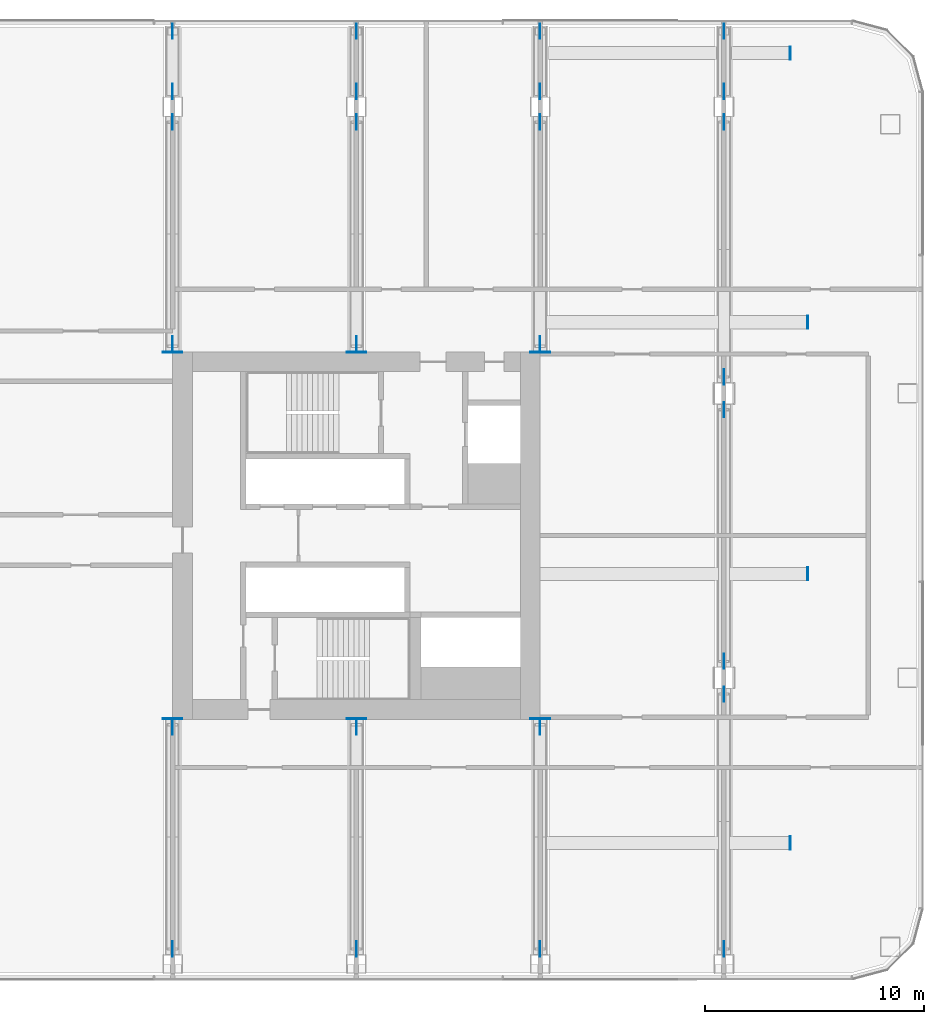
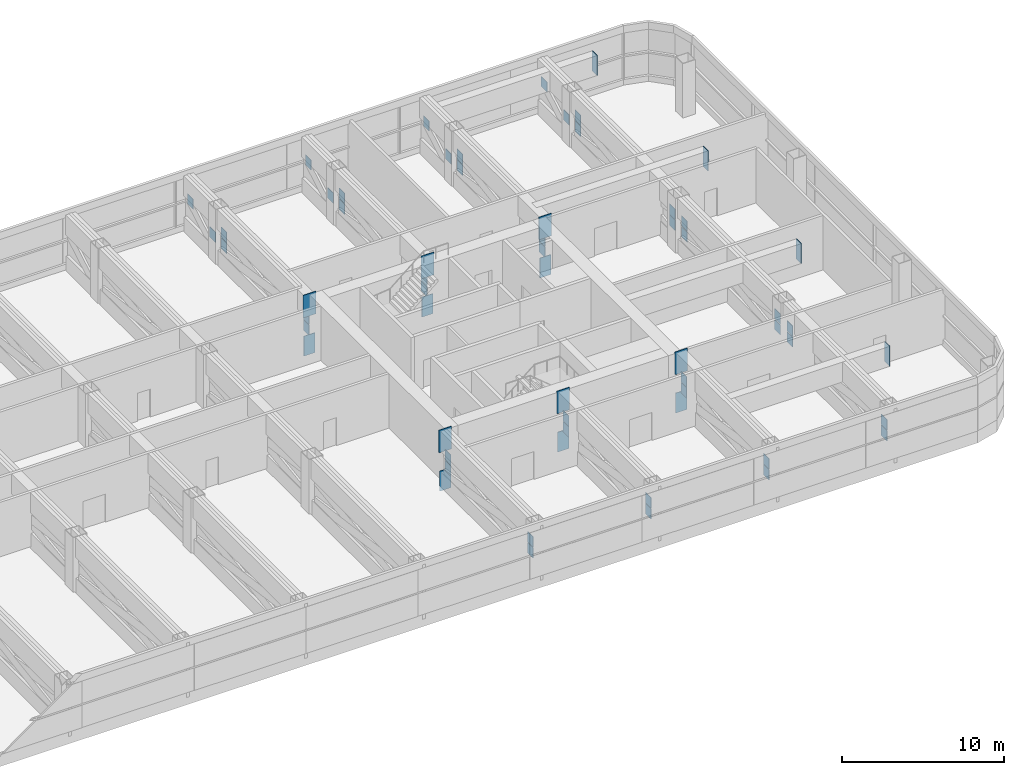
# One storey, part 24 of 30: 60 discrete accessories.
"""IFC4 building model written with IfcOpenShell, lengths in metres."""

from ifc_helpers import new_model, si_unit, direction, frame, origin, origin_2d, place, context, subcontext, project, spatial, rectangle, extrude, material, material_profile, profile_set, type_object, element, save


model = new_model("IFC4")

# Units and contexts
model_context = context("Model", 3, precision=1e-05, world=origin(), true_north=direction((0.0, 1.0)))
body_context = subcontext(model_context, "Body", "Model", "MODEL_VIEW")
ifc_project = project(units=[si_unit("LENGTHUNIT", "METRE"), si_unit("AREAUNIT", "SQUARE_METRE"), si_unit("VOLUMEUNIT", "CUBIC_METRE"), si_unit("PLANEANGLEUNIT", "RADIAN"), si_unit("MASSUNIT", "GRAM", prefix="KILO")], contexts=[model_context])

# Site, building, storey
site_placement = place(None, origin())
site = spatial("IfcSite", under=ifc_project, at=site_placement, CompositionType="ELEMENT")
building_placement = place(site_placement, origin())
building = spatial("IfcBuilding", under=site, at=building_placement, Name="Hakoniwa Tower and Hamabe Station Hall", CompositionType="ELEMENT")
storey_placement = place(building_placement, frame((0.0, 0.0, 64.60009765625)))
storey = spatial("IfcBuildingStorey", under=building, at=storey_placement, Name="L18", CompositionType="ELEMENT", Elevation=64.60009765625)

# Discrete accessories
ifc_material_1 = material(Name="Steel SN490C", Category="steel")
ifc_material_profile_1 = material_profile(ifc_material_1, rectangle(XDim=0.800048828125, YDim=1.5, at=origin_2d()), Name="CAST-IN PLATE BX-1300x600x50")
ifc_profile_set_1 = profile_set([ifc_material_profile_1], Name="Steel SN490C")
discrete_accessory_type_1 = type_object("IfcDiscreteAccessoryType", Name="CAST-IN PLATE BX-1300x600x50", PredefinedType="ANCHORPLATE", material=ifc_profile_set_1)
for number, where, z_axis, x_axis, name in (
    (1, (16.800048828125, -8.360107421875, 0.349853515625), (0.0, -1.0, 0.0), (1.0, 0.0, 0.0), "Cast-in plate T1-15-BC01"),
    (2, (16.800048828125, 8.360107421875, 0.349853515625), (0.0, 1.0, 0.0), (-1.0, 0.0, 0.0), "Cast-in plate T1-16-BC01"),
    (3, (25.199951171875, -8.360107421875, 0.349853515625), (0.0, -1.0, 0.0), (1.0, 0.0, 0.0), "Cast-in plate T1-17-BC01"),
    (4, (25.199951171875, 8.360107421875, 0.349853515625), (0.0, 1.0, 0.0), (-1.0, 0.0, 0.0), "Cast-in plate T1-18-BC01"),
    (5, (33.60009765625, -8.360107421875, 0.349853515625), (0.0, -1.0, 0.0), (1.0, 0.0, 0.0), "Cast-in plate T1-19-BC01"),
    (6, (33.60009765625, 8.360107421875, 0.349853515625), (0.0, 1.0, 0.0), (-1.0, 0.0, 0.0), "Cast-in plate T1-20-BC01"),
):
    element("IfcDiscreteAccessory", number, at=place(storey_placement, frame(where, z_axis=z_axis, x_axis=x_axis)), inside=storey, type_object=discrete_accessory_type_1, Name=name, PredefinedType="ANCHORPLATE", context=body_context, shape_type="SweptSolid", body=[
        extrude(rectangle(XDim=0.800048828125, YDim=1.5, at=origin_2d()), origin(), (0.0, 0.0, 1.0), 0.039794921875),
    ])
ifc_material_2 = material(Name="Steel SN490C", Category="steel")
ifc_material_profile_2 = material_profile(ifc_material_2, rectangle(XDim=0.89990234375, YDim=1.699951171875, at=origin_2d()), Name="CAST-IN PLATE BX-1500x700x55")
ifc_profile_set_2 = profile_set([ifc_material_profile_2], Name="Steel SN490C")
discrete_accessory_type_2 = type_object("IfcDiscreteAccessoryType", Name="CAST-IN PLATE BX-1500x700x55", PredefinedType="ANCHORPLATE", material=ifc_profile_set_2)
for number, where, z_axis, x_axis, name in (
    (7, (16.800048828125, -8.35498046875, 3.349853515625), (0.0, -1.0, 0.0), (1.0, 0.0, 0.0), "Cast-in plate T1-15-TC01"),
    (8, (16.800048828125, 8.35498046875, 3.349853515625), (0.0, 1.0, 0.0), (-1.0, 0.0, 0.0), "Cast-in plate T1-16-TC01"),
    (9, (25.199951171875, -8.35498046875, 3.349853515625), (0.0, -1.0, 0.0), (1.0, 0.0, 0.0), "Cast-in plate T1-17-TC01"),
    (10, (25.199951171875, 8.35498046875, 3.349853515625), (0.0, 1.0, 0.0), (-1.0, 0.0, 0.0), "Cast-in plate T1-18-TC01"),
    (11, (33.60009765625, -8.35498046875, 3.349853515625), (0.0, -1.0, 0.0), (1.0, 0.0, 0.0), "Cast-in plate T1-19-TC01"),
    (12, (33.60009765625, 8.35498046875, 3.349853515625), (0.0, 1.0, 0.0), (-1.0, 0.0, 0.0), "Cast-in plate T1-20-TC01"),
):
    element("IfcDiscreteAccessory", number, at=place(storey_placement, frame(where, z_axis=z_axis, x_axis=x_axis)), inside=storey, type_object=discrete_accessory_type_2, Name=name, PredefinedType="ANCHORPLATE", context=body_context, shape_type="SweptSolid", body=[
        extrude(rectangle(XDim=0.89990234375, YDim=1.699951171875, at=origin_2d()), origin(), (0.0, 0.0, 1.0), 0.044921875),
    ])
ifc_material_3 = material(Name="Steel SN490C", Category="steel")
ifc_material_profile_3 = material_profile(ifc_material_3, rectangle(XDim=0.60009765625, YDim=1.5, at=origin_2d()), Name="END CAP PLATE BX-1500x600x55")
ifc_profile_set_3 = profile_set([ifc_material_profile_3], Name="Steel SN490C")
discrete_accessory_type_3 = type_object("IfcDiscreteAccessoryType", Name="END CAP PLATE BX-1500x600x55", PredefinedType="USERDEFINED", material=ifc_profile_set_3)
discrete_accessory_1_placement = place(storey_placement, frame((45.0029296875, -14.052978515625, 3.349853515625), z_axis=(1.0, 0.0, 0.0), x_axis=(0.0, 1.0, 0.0)))
element("IfcDiscreteAccessory", 13, at=discrete_accessory_1_placement, inside=storey, type_object=discrete_accessory_type_3, Name="End cap plate L18-XG2", ObjectType="END CAP PLATE", PredefinedType="USERDEFINED", context=body_context, shape_type="SweptSolid", body=[
    extrude(rectangle(XDim=0.60009765625, YDim=1.5, at=origin_2d()), origin(), (0.0, 0.0, 1.0), 0.045166015625),
])
for number, where, z_axis, x_axis, name in (
    (14, (45.800048828125, -1.75, 3.349853515625), (1.0, 0.0, 0.0), (0.0, 1.0, 0.0), "End cap plate L18-XG4"),
    (15, (45.800048828125, 9.75, 3.349853515625), (1.0, 0.0, 0.0), (0.0, 1.0, 0.0), "End cap plate L18-XG6"),
):
    element("IfcDiscreteAccessory", number, at=place(storey_placement, frame(where, z_axis=z_axis, x_axis=x_axis)), inside=storey, type_object=discrete_accessory_type_3, Name=name, ObjectType="END CAP PLATE", PredefinedType="USERDEFINED", context=body_context, shape_type="SweptSolid", body=[
        extrude(rectangle(XDim=0.60009765625, YDim=1.5, at=origin_2d()), origin(), (0.0, 0.0, 1.0), 0.044921875),
    ])
discrete_accessory_2_placement = place(storey_placement, frame((45.0029296875, 22.052978515625, 3.349853515625), z_axis=(1.0, 0.0, 0.0), x_axis=(0.0, 1.0, 0.0)))
element("IfcDiscreteAccessory", 16, at=discrete_accessory_2_placement, inside=storey, type_object=discrete_accessory_type_3, Name="End cap plate L18-XG8", ObjectType="END CAP PLATE", PredefinedType="USERDEFINED", context=body_context, shape_type="SweptSolid", body=[
    extrude(rectangle(XDim=0.60009765625, YDim=1.5, at=origin_2d()), origin(), (0.0, 0.0, 1.0), 0.045166015625),
])
ifc_material_4 = material(Name="Steel SN490C", Category="steel")
ifc_material_profile_4 = material_profile(ifc_material_4, rectangle(XDim=0.699951171875, YDim=0.77001953125, at=origin_2d()), Name="GUSSET PLATE BX-700x500x32")
ifc_profile_set_4 = profile_set([ifc_material_profile_4], Name="Steel SN490C")
discrete_accessory_type_4 = type_object("IfcDiscreteAccessoryType", Name="GUSSET PLATE BX-700x500x32", PredefinedType="USERDEFINED", material=ifc_profile_set_4)
for number, where, z_axis, x_axis, name in (
    (17, (16.81494140625, -18.89990234375, 1.385009765625), (-1.0, 0.0, 0.0), (0.0, -1.0, 0.0), "Gusset plate T1-015-D01A"),
    (18, (16.81494140625, -8.75, 2.21484375), (-1.0, 0.0, 0.0), (0.0, -1.0, 0.0), "Gusset plate T1-015-D01A"),
    (19, (16.81494140625, -18.89990234375, 2.21484375), (-1.0, 0.0, 0.0), (0.0, -1.0, 0.0), "Gusset plate T1-015-D01B"),
    (20, (16.81494140625, -8.75, 1.385009765625), (-1.0, 0.0, 0.0), (0.0, -1.0, 0.0), "Gusset plate T1-015-D01B"),
    (21, (16.81494140625, 8.75, 1.385009765625), (-1.0, 0.0, 0.0), (0.0, -1.0, 0.0), "Gusset plate T1-016-D01A"),
    (22, (16.81494140625, 18.89990234375, 2.21484375), (-1.0, 0.0, 0.0), (0.0, -1.0, 0.0), "Gusset plate T1-016-D01A"),
    (23, (16.81494140625, 8.75, 2.21484375), (-1.0, 0.0, 0.0), (0.0, -1.0, 0.0), "Gusset plate T1-016-D01B"),
    (24, (16.81494140625, 18.89990234375, 1.385009765625), (-1.0, 0.0, 0.0), (0.0, -1.0, 0.0), "Gusset plate T1-016-D01B"),
    (25, (16.81494140625, 20.300048828125, 1.385009765625), (-1.0, 0.0, 0.0), (0.0, -1.0, 0.0), "Gusset plate T1-016-DHA"),
    (26, (16.81494140625, 23.050048828125, 2.21484375), (-1.0, 0.0, 0.0), (0.0, -1.0, 0.0), "Gusset plate T1-016-DHA"),
    (27, (25.215087890625, -18.89990234375, 1.385009765625), (-1.0, 0.0, 0.0), (0.0, -1.0, 0.0), "Gusset plate T1-017-D01A"),
    (28, (25.215087890625, -8.75, 2.21484375), (-1.0, 0.0, 0.0), (0.0, -1.0, 0.0), "Gusset plate T1-017-D01A"),
    (29, (25.215087890625, -18.89990234375, 2.21484375), (-1.0, 0.0, 0.0), (0.0, -1.0, 0.0), "Gusset plate T1-017-D01B"),
    (30, (25.215087890625, -8.75, 1.385009765625), (-1.0, 0.0, 0.0), (0.0, -1.0, 0.0), "Gusset plate T1-017-D01B"),
    (31, (25.215087890625, 8.75, 1.385009765625), (-1.0, 0.0, 0.0), (0.0, -1.0, 0.0), "Gusset plate T1-018-D01A"),
    (32, (25.215087890625, 18.89990234375, 2.21484375), (-1.0, 0.0, 0.0), (0.0, -1.0, 0.0), "Gusset plate T1-018-D01A"),
    (33, (25.215087890625, 8.75, 2.21484375), (-1.0, 0.0, 0.0), (0.0, -1.0, 0.0), "Gusset plate T1-018-D01B"),
    (34, (25.215087890625, 18.89990234375, 1.385009765625), (-1.0, 0.0, 0.0), (0.0, -1.0, 0.0), "Gusset plate T1-018-D01B"),
    (35, (25.215087890625, 20.300048828125, 1.385009765625), (-1.0, 0.0, 0.0), (0.0, -1.0, 0.0), "Gusset plate T1-018-DHA"),
    (36, (25.215087890625, 23.050048828125, 2.21484375), (-1.0, 0.0, 0.0), (0.0, -1.0, 0.0), "Gusset plate T1-018-DHA"),
    (37, (33.614990234375, -18.89990234375, 1.385009765625), (-1.0, 0.0, 0.0), (0.0, -1.0, 0.0), "Gusset plate T1-019-D01A"),
    (38, (33.614990234375, -8.75, 2.21484375), (-1.0, 0.0, 0.0), (0.0, -1.0, 0.0), "Gusset plate T1-019-D01A"),
    (39, (33.614990234375, -18.89990234375, 2.21484375), (-1.0, 0.0, 0.0), (0.0, -1.0, 0.0), "Gusset plate T1-019-D01B"),
    (40, (33.614990234375, -8.75, 1.385009765625), (-1.0, 0.0, 0.0), (0.0, -1.0, 0.0), "Gusset plate T1-019-D01B"),
    (41, (33.614990234375, 8.75, 1.385009765625), (-1.0, 0.0, 0.0), (0.0, -1.0, 0.0), "Gusset plate T1-020-D01A"),
    (42, (33.614990234375, 18.89990234375, 2.21484375), (-1.0, 0.0, 0.0), (0.0, -1.0, 0.0), "Gusset plate T1-020-D01A"),
    (43, (33.614990234375, 8.75, 2.21484375), (-1.0, 0.0, 0.0), (0.0, -1.0, 0.0), "Gusset plate T1-020-D01B"),
    (44, (33.614990234375, 18.89990234375, 1.385009765625), (-1.0, 0.0, 0.0), (0.0, -1.0, 0.0), "Gusset plate T1-020-D01B"),
    (45, (33.614990234375, 20.300048828125, 1.385009765625), (-1.0, 0.0, 0.0), (0.0, -1.0, 0.0), "Gusset plate T1-020-DHA"),
    (46, (33.614990234375, 23.050048828125, 2.21484375), (-1.0, 0.0, 0.0), (0.0, -1.0, 0.0), "Gusset plate T1-020-DHA"),
):
    element("IfcDiscreteAccessory", number, at=place(storey_placement, frame(where, z_axis=z_axis, x_axis=x_axis)), inside=storey, type_object=discrete_accessory_type_4, Name=name, ObjectType="GUSSET PLATE", PredefinedType="USERDEFINED", context=body_context, shape_type="SweptSolid", body=[
        extrude(rectangle(XDim=0.699951171875, YDim=0.77001953125, at=origin_2d()), origin(), (0.0, 0.0, 1.0), 0.030029296875),
    ])
for number, where, z_axis, x_axis, name in (
    (47, (42.014892578125, -18.89990234375, 1.385009765625), (-1.0, 0.0, 0.0), (0.0, -1.0, 0.0), "Gusset plate T1-021-D01A"),
    (48, (42.014892578125, -7.25, 2.21484375), (-1.0, 0.0, 0.0), (0.0, -1.0, 0.0), "Gusset plate T1-021-D01A"),
    (49, (42.014892578125, -18.89990234375, 2.21484375), (-1.0, 0.0, 0.0), (0.0, -1.0, 0.0), "Gusset plate T1-021-D01B"),
    (50, (42.014892578125, -7.25, 1.385009765625), (-1.0, 0.0, 0.0), (0.0, -1.0, 0.0), "Gusset plate T1-021-D01B"),
    (51, (42.014892578125, -5.75, 1.385009765625), (-1.0, 0.0, 0.0), (0.0, -1.0, 0.0), "Gusset plate T1-021-D02A"),
    (52, (42.014892578125, 5.75, 2.21484375), (-1.0, 0.0, 0.0), (0.0, -1.0, 0.0), "Gusset plate T1-021-D02A"),
    (53, (42.014892578125, -5.75, 2.21484375), (-1.0, 0.0, 0.0), (0.0, -1.0, 0.0), "Gusset plate T1-021-D02B"),
    (54, (42.014892578125, 5.75, 1.385009765625), (-1.0, 0.0, 0.0), (0.0, -1.0, 0.0), "Gusset plate T1-021-D02B"),
    (55, (42.014892578125, 7.25, 1.385009765625), (-1.0, 0.0, 0.0), (0.0, -1.0, 0.0), "Gusset plate T1-021-D03A"),
    (56, (42.014892578125, 18.89990234375, 2.21484375), (-1.0, 0.0, 0.0), (0.0, -1.0, 0.0), "Gusset plate T1-021-D03A"),
    (57, (42.014892578125, 7.25, 2.21484375), (-1.0, 0.0, 0.0), (0.0, -1.0, 0.0), "Gusset plate T1-021-D03B"),
    (58, (42.014892578125, 18.89990234375, 1.385009765625), (-1.0, 0.0, 0.0), (0.0, -1.0, 0.0), "Gusset plate T1-021-D03B"),
    (59, (42.014892578125, 20.300048828125, 1.385009765625), (-1.0, 0.0, 0.0), (0.0, -1.0, 0.0), "Gusset plate T1-021-DHA"),
    (60, (42.014892578125, 23.050048828125, 2.21484375), (-1.0, 0.0, 0.0), (0.0, -1.0, 0.0), "Gusset plate T1-021-DHA"),
):
    element("IfcDiscreteAccessory", number, at=place(storey_placement, frame(where, z_axis=z_axis, x_axis=x_axis)), inside=storey, type_object=discrete_accessory_type_4, Name=name, ObjectType="GUSSET PLATE", PredefinedType="USERDEFINED", context=body_context, shape_type="SweptSolid", body=[
        extrude(rectangle(XDim=0.699951171875, YDim=0.77001953125, at=origin_2d()), origin(), (0.0, 0.0, 1.0), 0.02978515625),
    ])

save(model, "model.ifc")
